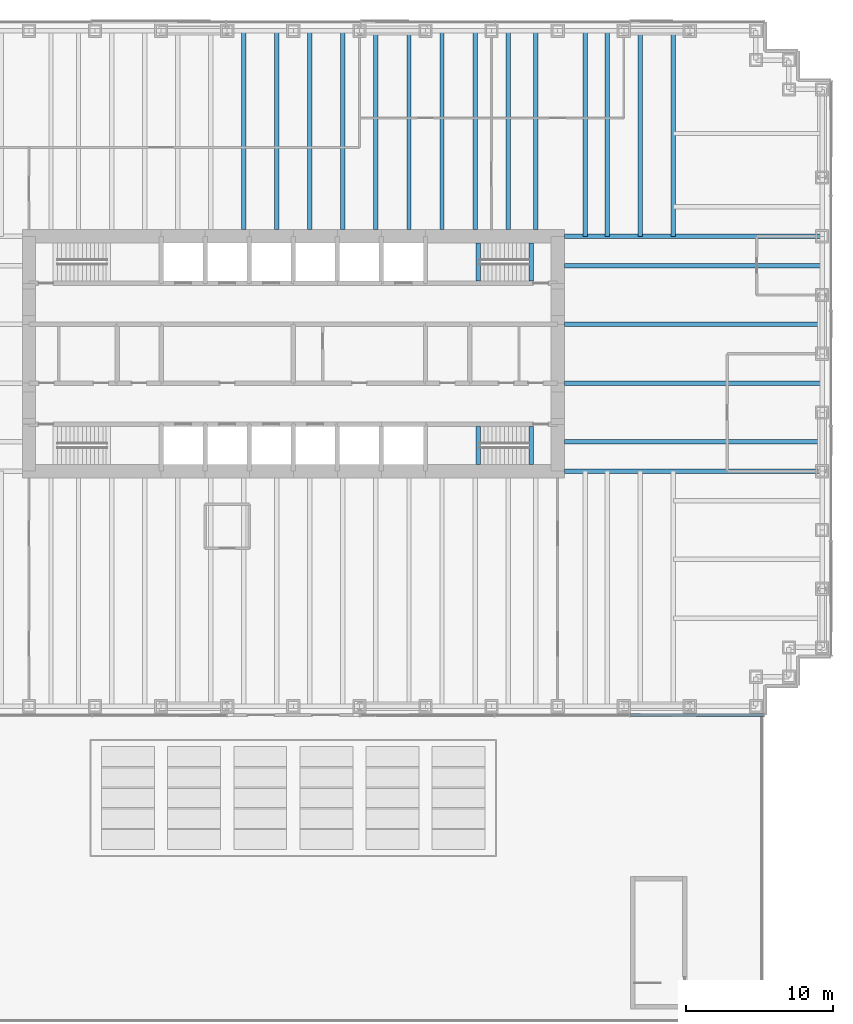
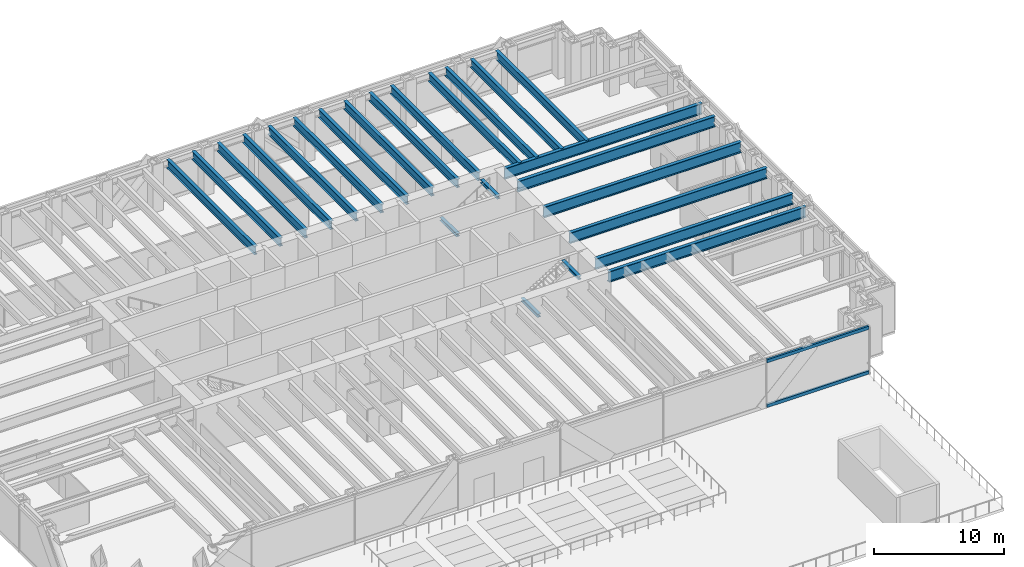
# One storey, part 5 of 15: 24 beams, 2 members, 1 element without a shape of its own.
"""IFC4 building model written with IfcOpenShell, lengths in metres."""

from ifc_helpers import new_model, si_unit, direction, frame, origin, origin_2d, place, context, subcontext, project, spatial, rectangle, i_section, extrude, material, material_profile, profile_set, type_object, element, aggregate, save


model = new_model("IFC4")

# Units and contexts
model_context = context("Model", 3, precision=1e-05, world=origin(), true_north=direction((0.0, 1.0)))
body_context = subcontext(model_context, "Body", "Model", "MODEL_VIEW")
ifc_project = project(units=[si_unit("LENGTHUNIT", "METRE"), si_unit("AREAUNIT", "SQUARE_METRE"), si_unit("VOLUMEUNIT", "CUBIC_METRE"), si_unit("PLANEANGLEUNIT", "RADIAN"), si_unit("MASSUNIT", "GRAM", prefix="KILO")], contexts=[model_context])

# Site, building, storey
site_placement = place(None, origin())
site = spatial("IfcSite", under=ifc_project, at=site_placement, CompositionType="ELEMENT")
building_placement = place(site_placement, origin())
building = spatial("IfcBuilding", under=site, at=building_placement, Name="Rheinbord Bourse Tower", CompositionType="ELEMENT")
storey_placement = place(building_placement, frame((0.0, 0.0, 23.0)))
storey = spatial("IfcBuildingStorey", under=building, at=storey_placement, Name="L04", CompositionType="ELEMENT", Elevation=23.0)

# Curtain wall, members
ifc_material_1 = material(Name="Dark glass and black aluminium", Category="aluminium")
curtain_wall_type = type_object("IfcCurtainWallType", Name="CW1 DARK GLASS CURTAIN WALL", PredefinedType="USERDEFINED", material=ifc_material_1)
curtain_wall_placement = place(storey_placement, origin())
curtain_wall = element("IfcCurtainWall", 1, at=curtain_wall_placement, inside=storey, type_object=curtain_wall_type, Name="Curtain wall CW1 S L04", ObjectType="UNITISED CURTAIN WALL", PredefinedType="USERDEFINED")
ifc_material_2 = material(Name="Black anodised aluminium", Category="aluminium")
ifc_material_profile_1 = material_profile(ifc_material_2, rectangle(XDim=0.179931640625, YDim=0.300048828125, at=origin_2d()), Name="CW1 TRANSOM 300x180")
ifc_profile_set_1 = profile_set([ifc_material_profile_1], Name="Black anodised aluminium")
member_type = type_object("IfcMemberType", Name="CW1 BLACK TRANSOM", PredefinedType="USERDEFINED", material=ifc_profile_set_1)
member_1_placement = place(storey_placement, frame((58.93994140625, -0.60009765625, 0.14990234375), z_axis=(1.0, 0.0, 0.0), x_axis=(0.0, 1.0, 0.0)))
member_1 = element("IfcMember", 2, at=member_1_placement, type_object=member_type, Name="CW1 transom 3.1", ObjectType="TRANSOM", PredefinedType="USERDEFINED", context=body_context, shape_type="SweptSolid", body=[
    extrude(rectangle(XDim=0.179931640625, YDim=0.300048828125, at=origin_2d()), origin(), (0.0, 0.0, 1.0), 9.080078125),
])
member_2_placement = place(storey_placement, frame((58.93994140625, -0.60009765625, 4.35009765625), z_axis=(1.0, 0.0, 0.0), x_axis=(0.0, 1.0, 0.0)))
member_2 = element("IfcMember", 3, at=member_2_placement, type_object=member_type, Name="CW1 transom 3.2", ObjectType="TRANSOM", PredefinedType="USERDEFINED", context=body_context, shape_type="SweptSolid", body=[
    extrude(rectangle(XDim=0.179931640625, YDim=0.300048828125, at=origin_2d()), origin(), (0.0, 0.0, 1.0), 9.080078125),
])
aggregate(curtain_wall, [member_1, member_2])

# Beams
ifc_material_3 = material(Name="Steel S460", Category="steel")
ifc_material_profile_2 = material_profile(ifc_material_3, i_section(OverallWidth=0.302001953125, OverallDepth=1.008056640625, WebThickness=0.02099609375, FlangeThickness=0.0400390625, at=origin_2d()), Name="HEM 1000")
ifc_profile_set_2 = profile_set([ifc_material_profile_2], Name="Steel S460")
beam_type_1 = type_object("IfcBeamType", Name="END BEAM HEM 1000", PredefinedType="BEAM", material=ifc_profile_set_2)
for number, where, z_axis, x_axis, name in (
    (4, (54.449951171875, 18.0, 3.81591796875), (1.0, 0.0, 0.0), (0.0, 1.0, 0.0), "End beam east 18 L05"),
    (5, (54.449951171875, 22.0, 3.81591796875), (1.0, 0.0, 0.0), (0.0, 1.0, 0.0), "End beam east 22 L05"),
    (6, (54.449951171875, 26.0, 3.81591796875), (1.0, 0.0, 0.0), (0.0, 1.0, 0.0), "End beam east 26 L05"),
    (7, (54.449951171875, 30.0, 3.81591796875), (1.0, 0.0, 0.0), (0.0, 1.0, 0.0), "End beam east 30 L05"),
):
    element("IfcBeam", number, at=place(storey_placement, frame(where, z_axis=z_axis, x_axis=x_axis)), inside=storey, type_object=beam_type_1, Name=name, PredefinedType="BEAM", context=body_context, shape_type="SweptSolid", body=[
        extrude(i_section(OverallWidth=0.302001953125, OverallDepth=1.008056640625, WebThickness=0.02099609375, FlangeThickness=0.0400390625, at=origin_2d()), origin(), (0.0, 0.0, 1.0), 17.550048828125),
    ])
ifc_material_4 = material(Name="Steel S460", Category="steel")
ifc_material_profile_3 = material_profile(ifc_material_4, i_section(OverallWidth=0.300048828125, OverallDepth=0.800048828125, WebThickness=0.017578125, FlangeThickness=0.032958984375, at=origin_2d()), Name="HEB 800")
ifc_profile_set_3 = profile_set([ifc_material_profile_3], Name="Steel S460")
beam_type_2 = type_object("IfcBeamType", Name="FLOOR BEAM HEB 800", PredefinedType="BEAM", material=ifc_profile_set_3)
for number, where, z_axis, x_axis, name in (
    (8, (32.625, 46.0, 3.919921875), (0.0, -1.0, 0.0), (1.0, 0.0, 0.0), "Floor beam N-31.5a L05"),
    (9, (34.875, 46.0, 3.919921875), (0.0, -1.0, 0.0), (1.0, 0.0, 0.0), "Floor beam N-31.5b L05"),
    (10, (37.125, 46.0, 3.919921875), (0.0, -1.0, 0.0), (1.0, 0.0, 0.0), "Floor beam N-36a L05"),
    (11, (39.375, 46.0, 3.919921875), (0.0, -1.0, 0.0), (1.0, 0.0, 0.0), "Floor beam N-36b L05"),
    (12, (41.625, 46.0, 3.919921875), (0.0, -1.0, 0.0), (1.0, 0.0, 0.0), "Floor beam N-40.5a L05"),
    (13, (43.875, 46.0, 3.919921875), (0.0, -1.0, 0.0), (1.0, 0.0, 0.0), "Floor beam N-40.5b L05"),
    (14, (46.125, 46.0, 3.919921875), (0.0, -1.0, 0.0), (1.0, 0.0, 0.0), "Floor beam N-45a L05"),
    (15, (48.375, 46.0, 3.919921875), (0.0, -1.0, 0.0), (1.0, 0.0, 0.0), "Floor beam N-45b L05"),
    (16, (50.625, 46.0, 3.919921875), (0.0, -1.0, 0.0), (1.0, 0.0, 0.0), "Floor beam N-49.5a L05"),
    (17, (52.5, 46.0, 3.919921875), (0.0, -1.0, 0.0), (1.0, 0.0, 0.0), "Floor beam N-49.5b L05"),
):
    element("IfcBeam", number, at=place(storey_placement, frame(where, z_axis=z_axis, x_axis=x_axis)), inside=storey, type_object=beam_type_2, Name=name, PredefinedType="BEAM", context=body_context, shape_type="SweptSolid", body=[
        extrude(i_section(OverallWidth=0.300048828125, OverallDepth=0.800048828125, WebThickness=0.017578125, FlangeThickness=0.032958984375, at=origin_2d()), origin(), (0.0, 0.0, 1.0), 13.550048828125),
    ])
for number, where, z_axis, x_axis, name in (
    (18, (55.875, 46.0, 3.919921875), (0.0, -1.0, 0.0), (1.0, 0.0, 0.0), "Floor beam N-54a L05"),
    (19, (57.375, 46.0, 3.919921875), (0.0, -1.0, 0.0), (1.0, 0.0, 0.0), "Floor beam N-54b L05"),
    (20, (59.625, 46.0, 3.919921875), (0.0, -1.0, 0.0), (1.0, 0.0, 0.0), "Floor beam N-58.5a L05"),
    (21, (61.875, 46.0, 3.919921875), (0.0, -1.0, 0.0), (1.0, 0.0, 0.0), "Floor beam N-58.5b L05"),
):
    element("IfcBeam", number, at=place(storey_placement, frame(where, z_axis=z_axis, x_axis=x_axis)), inside=storey, type_object=beam_type_2, Name=name, PredefinedType="BEAM", context=body_context, shape_type="SweptSolid", body=[
        extrude(i_section(OverallWidth=0.300048828125, OverallDepth=0.800048828125, WebThickness=0.017578125, FlangeThickness=0.032958984375, at=origin_2d()), origin(), (0.0, 0.0, 1.0), 14.0),
    ])
ifc_material_5 = material(Name="Steel S460", Category="steel")
ifc_material_profile_4 = material_profile(ifc_material_5, i_section(OverallWidth=0.302001953125, OverallDepth=1.008056640625, WebThickness=0.02099609375, FlangeThickness=0.0400390625, at=origin_2d()), Name="HEM 1000")
ifc_profile_set_4 = profile_set([ifc_material_profile_4], Name="Steel S460")
beam_type_3 = type_object("IfcBeamType", Name="GIRDER HEM 1000", PredefinedType="BEAM", material=ifc_profile_set_4)
for number, where, z_axis, x_axis, name in (
    (22, (54.449951171875, 16.0, 3.81591796875), (1.0, 0.0, 0.0), (0.0, 1.0, 0.0), "Girder east 16 L05"),
    (23, (54.449951171875, 32.0, 3.81591796875), (1.0, 0.0, 0.0), (0.0, 1.0, 0.0), "Girder east 32 L05"),
):
    element("IfcBeam", number, at=place(storey_placement, frame(where, z_axis=z_axis, x_axis=x_axis)), inside=storey, type_object=beam_type_3, Name=name, PredefinedType="BEAM", context=body_context, shape_type="SweptSolid", body=[
        extrude(i_section(OverallWidth=0.302001953125, OverallDepth=1.008056640625, WebThickness=0.02099609375, FlangeThickness=0.0400390625, at=origin_2d()), origin(), (0.0, 0.0, 1.0), 17.550048828125),
    ])
ifc_material_6 = material(Name="Steel S460", Category="steel")
ifc_material_profile_5 = material_profile(ifc_material_6, i_section(OverallWidth=0.300048828125, OverallDepth=0.300048828125, WebThickness=0.010986328125, FlangeThickness=0.01904296875, at=origin_2d()), Name="HEB 300")
ifc_profile_set_5 = profile_set([ifc_material_profile_5], Name="Steel S460")
beam_type_4 = type_object("IfcBeamType", Name="LANDING TRIMMER HEB 300", PredefinedType="BEAM", material=ifc_profile_set_5)
for number, where, z_axis, x_axis, name in (
    (24, (48.590087890625, 16.449951171875, 1.89990234375), (0.0, 1.0, 0.0), (-1.0, 0.0, 0.0), "Landing trimmer ST3 L04"),
    (25, (52.199951171875, 16.449951171875, 4.169921875), (0.0, 1.0, 0.0), (-1.0, 0.0, 0.0), "Well trimmer ST3 under L05"),
    (26, (48.590087890625, 28.949951171875, 1.89990234375), (0.0, 1.0, 0.0), (-1.0, 0.0, 0.0), "Landing trimmer ST4 L04"),
    (27, (52.199951171875, 28.949951171875, 4.169921875), (0.0, 1.0, 0.0), (-1.0, 0.0, 0.0), "Well trimmer ST4 under L05"),
):
    element("IfcBeam", number, at=place(storey_placement, frame(where, z_axis=z_axis, x_axis=x_axis)), inside=storey, type_object=beam_type_4, Name=name, PredefinedType="BEAM", context=body_context, shape_type="SweptSolid", body=[
        extrude(i_section(OverallWidth=0.300048828125, OverallDepth=0.300048828125, WebThickness=0.010986328125, FlangeThickness=0.01904296875, at=origin_2d()), origin(), (0.0, 0.0, 1.0), 2.60009765625),
    ])

save(model, "model.ifc")
